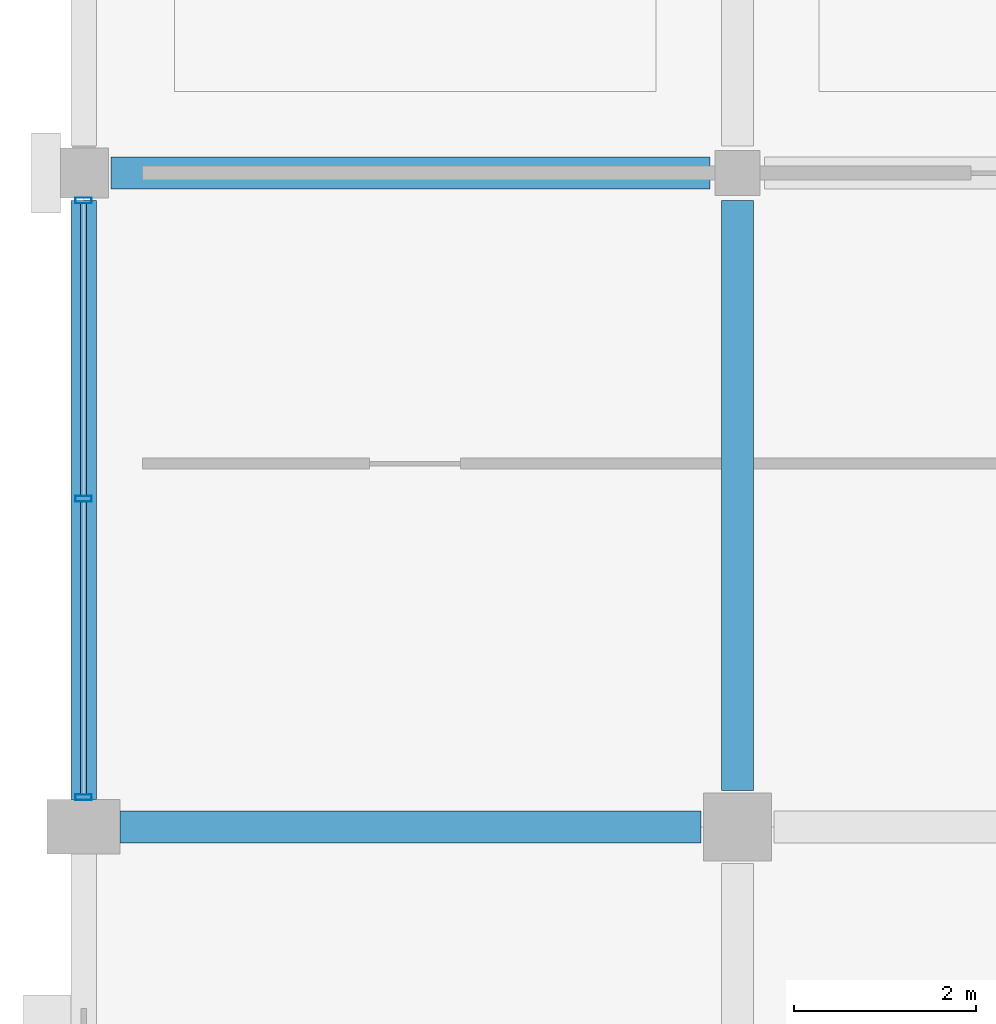
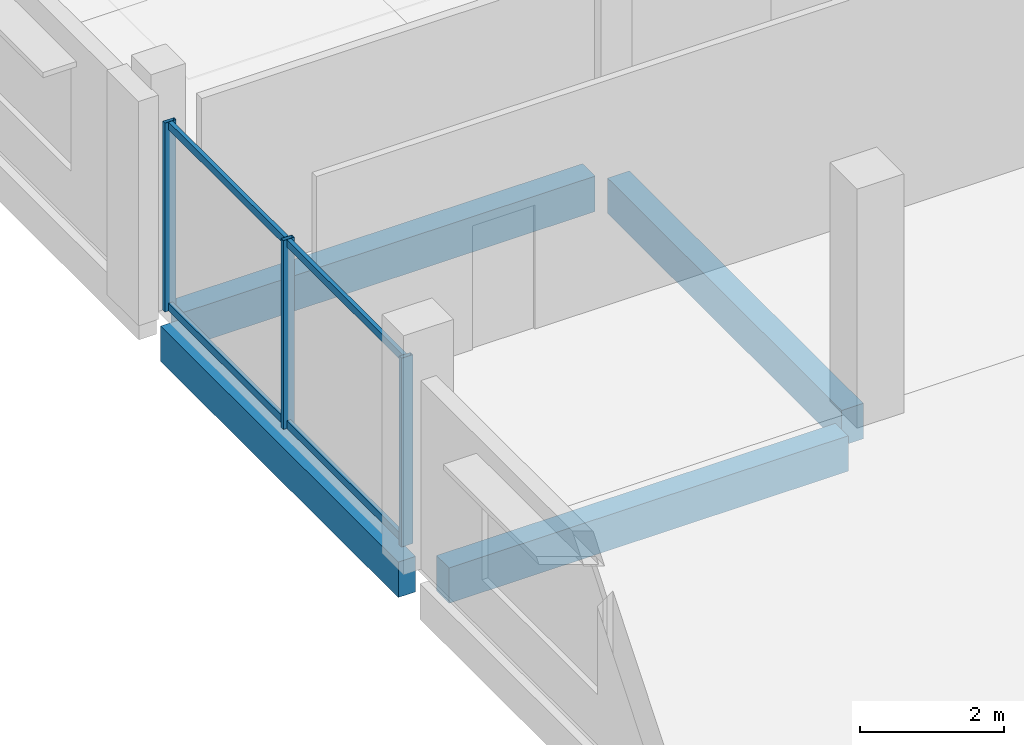
# One storey, part 17 of 91: 7 members, 4 beams, 1 element without a shape of its own.
"""IFC4 building model written with IfcOpenShell, lengths in metres."""

import ifcopenshell
import ifcopenshell.guid

model = None  # the IFC model being written
_history = None  # IfcOwnerHistory: only IFC2X3 demands one
_inside = {}  # id of a spatial element -> (the spatial element, [elements in it])
_under = {}  # id of a project, library or spatial element -> (it, [spatial elements below it])
_declared = {}  # id of a project -> (the project, [libraries it declares])
_typed = {}  # id of a type object -> (the type object, [elements of that type])
_made_of = {}  # id of a material, layer set ... -> (it, [elements and type objects made of it])


def new_model(schema):
    """Start an empty IFC model of exactly this schema.

    Asked for "IFC4X3", IfcOpenShell would pick the latest addendum, in which some entities
    have other attributes; the version numbers below select the first issue.
    IFC2X3 requires an IfcOwnerHistory on every rooted entity: one is made here for all.
    """
    global model, _history
    if schema == "IFC4X3":
        model = ifcopenshell.file(schema_version=(4, 3, 0, 0))
    else:
        model = ifcopenshell.file(schema=schema)
    _inside.clear()
    _under.clear()
    _declared.clear()
    _typed.clear()
    _made_of.clear()
    _history = None
    if model.schema == "IFC2X3":
        org = make("IfcOrganization", Name="unknown")
        user = make(
            "IfcPersonAndOrganization",
            ThePerson=make("IfcPerson", FamilyName="unknown"),
            TheOrganization=org,
        )
        app = make(
            "IfcApplication",
            ApplicationDeveloper=org,
            Version="unknown",
            ApplicationFullName="unknown",
            ApplicationIdentifier="unknown",
        )
        _history = make(
            "IfcOwnerHistory",
            OwningUser=user,
            OwningApplication=app,
            ChangeAction="ADDED",
            CreationDate=0,
        )
    return model


def make(cls, **values):
    """One entity of the class cls with the attributes given. An attribute that is None is left unset."""
    return model.create_entity(
        cls, **{name: value for name, value in values.items() if value is not None}
    )


def rooted(cls, **values):
    """An entity with a GlobalId (a new one), such as an element, a storey or a relation."""
    return make(cls, GlobalId=ifcopenshell.guid.new(), OwnerHistory=_history, **values)


def si_unit(unit_type, name, prefix=None):
    """IfcSIUnit, for example si_unit("LENGTHUNIT", "METRE", prefix="MILLI")."""
    return make("IfcSIUnit", UnitType=unit_type, Prefix=prefix, Name=name)


def assignment(units):
    """IfcUnitAssignment: the units of a project."""
    return None if units is None else make("IfcUnitAssignment", Units=units)


def point(xyz):
    """IfcCartesianPoint."""
    return None if xyz is None else make("IfcCartesianPoint", Coordinates=xyz)


def direction(xyz):
    """IfcDirection."""
    return None if xyz is None else make("IfcDirection", DirectionRatios=xyz)


def frame(location, z_axis=None, x_axis=None):
    """IfcAxis2Placement3D, a coordinate frame: its origin and axes. An axis left out is left unset."""
    return make(
        "IfcAxis2Placement3D",
        Location=point(location),
        Axis=direction(z_axis),
        RefDirection=direction(x_axis),
    )


def frame_2d(location, x_axis=None):
    """IfcAxis2Placement2D, a coordinate frame in the plane: its origin and x axis."""
    return make(
        "IfcAxis2Placement2D", Location=point(location), RefDirection=direction(x_axis)
    )


def origin():
    """The frame at (0, 0, 0) with its axes left unset."""
    return frame((0.0, 0.0, 0.0))


def origin_2d():
    """The frame at (0, 0) in the plane with its x axis left unset."""
    return frame_2d((0.0, 0.0))


def place(relative_to, where):
    """IfcLocalPlacement: puts the frame where relative to a parent placement (None: the world)."""
    return make(
        "IfcLocalPlacement", PlacementRelTo=relative_to, RelativePlacement=where
    )


def context(
    kind, dimensions, precision=None, world=None, true_north=None, identifier=None
):
    """IfcGeometricRepresentationContext, for example the 3D "Model" context."""
    return make(
        "IfcGeometricRepresentationContext",
        ContextIdentifier=identifier,
        ContextType=kind,
        CoordinateSpaceDimension=dimensions,
        Precision=precision,
        WorldCoordinateSystem=world,
        TrueNorth=true_north,
    )


def subcontext(parent, identifier, kind, view, scale=None):
    """IfcGeometricRepresentationSubContext, for example "Body" below "Model"."""
    return make(
        "IfcGeometricRepresentationSubContext",
        ContextIdentifier=identifier,
        ContextType=kind,
        ParentContext=parent,
        TargetScale=scale,
        TargetView=view,
    )


def project(units=None, contexts=None):
    """IfcProject with its units and contexts."""
    return rooted(
        "IfcProject",
        Name="project",
        RepresentationContexts=contexts,
        UnitsInContext=assignment(units),
    )


def spatial(cls, under=None, at=None, **own):
    """A site, building, storey or space (cls), placed at a placement, below another one or the project."""
    s = rooted(cls, ObjectPlacement=at, **own)
    if under is not None:
        _under.setdefault(under.id(), (under, []))[1].append(s)
    return s


def profile(cls, at=None, kind="AREA", **sizes):
    """A parametric profile (cls). Its sizes go by their IFC names, for example OverallWidth=200.0."""
    return make(cls, ProfileType=kind, Position=at, **sizes)


def rectangle(**sizes):
    """IfcRectangleProfileDef."""
    return profile("IfcRectangleProfileDef", **sizes)


def hollow_rectangle(**sizes):
    """IfcRectangleHollowProfileDef."""
    return profile("IfcRectangleHollowProfileDef", **sizes)


def extrude(swept, where, along, depth):
    """IfcExtrudedAreaSolid: the profile swept, set in the frame where, extruded along a direction by depth."""
    return make(
        "IfcExtrudedAreaSolid",
        SweptArea=swept,
        Position=where,
        ExtrudedDirection=direction(along),
        Depth=depth,
    )


def shape(context_of_items, identifier, shape_type, items):
    """IfcShapeRepresentation: the items that make up one representation, for example the "Body"."""
    return make(
        "IfcShapeRepresentation",
        ContextOfItems=context_of_items,
        RepresentationIdentifier=identifier,
        RepresentationType=shape_type,
        Items=items,
    )


def material(Name=None, Category=None):
    """IfcMaterial."""
    return make("IfcMaterial", Name=Name, Category=Category)


def layer(
    of_material, thickness, ventilated=None, Name=None, Category=None, Priority=None
):
    """IfcMaterialLayer: one layer of a wall or slab, of a material (None: an air gap)."""
    return make(
        "IfcMaterialLayer",
        Material=of_material,
        LayerThickness=thickness,
        IsVentilated=ventilated,
        Name=Name,
        Category=Category,
        Priority=Priority,
    )


def layer_set(layers, Name=None):
    """IfcMaterialLayerSet."""
    return make("IfcMaterialLayerSet", MaterialLayers=layers, LayerSetName=Name)


def material_profile(
    of_material, cross_section, Name=None, Category=None, Priority=None
):
    """IfcMaterialProfile: a cross section and its material."""
    return make(
        "IfcMaterialProfile",
        Name=Name,
        Material=of_material,
        Profile=cross_section,
        Priority=Priority,
        Category=Category,
    )


def profile_set(profiles, Name=None, composite=None):
    """IfcMaterialProfileSet."""
    return make(
        "IfcMaterialProfileSet",
        Name=Name,
        MaterialProfiles=profiles,
        CompositeProfile=composite,
    )


def made_of(thing, what):
    """Note that an element or type object is made of a material, layer set ...; save() writes the relation."""
    if what is not None:
        _made_of.setdefault(what.id(), (what, []))[1].append(thing)
    return thing


def type_object(cls, material=None, **own):
    """A type object (cls), such as IfcWallType, which elements share."""
    return made_of(rooted(cls, **own), material)


def element(
    cls,
    number,
    at=None,
    inside=None,
    cuts=None,
    type_object=None,
    material=None,
    context=None,
    identifier="Body",
    shape_type=None,
    held_by="IfcProductDefinitionShape",
    body=None,
    shapes=None,
    **own,
):
    """One element of the class cls, such as IfcWall. Its Tag is "e" and its number.

    at: its placement. inside: the storey or other place that contains it. cuts: it is an
    opening in that element (IfcRelVoidsElement). A single representation is given by context,
    identifier, shape_type and body (its items); several are given by shapes. held_by: the class
    of the entity that holds the representations. save() writes the other relations.
    """
    e = rooted(cls, Tag="e%d" % number, ObjectPlacement=at, **own)
    if body is not None:
        shapes = [shape(context, identifier, shape_type, body)]
    if shapes is not None:
        e.Representation = make(held_by, Representations=shapes)
    if inside is not None:
        _inside.setdefault(inside.id(), (inside, []))[1].append(e)
    if cuts is not None:
        rooted(
            "IfcRelVoidsElement", RelatingBuildingElement=cuts, RelatedOpeningElement=e
        )
    if type_object is not None:
        _typed.setdefault(type_object.id(), (type_object, []))[1].append(e)
    return made_of(e, material)


def aggregate(whole, parts):
    """IfcRelAggregates: a whole, such as a stair, and the parts it consists of."""
    return rooted("IfcRelAggregates", RelatingObject=whole, RelatedObjects=parts)


def save(model, path):
    """Write the relations noted so far, then the file.

    IfcRelAggregates (storeys below a building ...), IfcRelContainedInSpatialStructure (elements
    in a storey), IfcRelDefinesByType, IfcRelAssociatesMaterial and IfcRelDeclares: one each for
    every whole, place, type object, material and project.
    """
    for whole, parts in _under.values():
        aggregate(whole, parts)
    for where, things in _inside.values():
        rooted(
            "IfcRelContainedInSpatialStructure",
            RelatedElements=things,
            RelatingStructure=where,
        )
    for kind, things in _typed.values():
        rooted("IfcRelDefinesByType", RelatedObjects=things, RelatingType=kind)
    for what, things in _made_of.values():
        rooted("IfcRelAssociatesMaterial", RelatedObjects=things, RelatingMaterial=what)
    for by, libraries in _declared.values():
        rooted("IfcRelDeclares", RelatingContext=by, RelatedDefinitions=libraries)
    model.write(path)


model = new_model("IFC4")

# Units and contexts
model_context = context("Model", 3, precision=1e-05, world=origin(), true_north=direction((0.0, 1.0)))
body_context = subcontext(model_context, "Body", "Model", "MODEL_VIEW")
ifc_project = project(units=[si_unit("LENGTHUNIT", "METRE"), si_unit("AREAUNIT", "SQUARE_METRE"), si_unit("VOLUMEUNIT", "CUBIC_METRE"), si_unit("PLANEANGLEUNIT", "RADIAN"), si_unit("MASSUNIT", "GRAM", prefix="KILO")], contexts=[model_context])

# Site, building, storey
site_placement = place(None, origin())
site = spatial("IfcSite", under=ifc_project, at=site_placement, CompositionType="ELEMENT")
building_placement = place(site_placement, origin())
building = spatial("IfcBuilding", under=site, at=building_placement, Name="Kangsadwip Square Police Headquarters", CompositionType="ELEMENT")
storey_placement = place(building_placement, frame((0.0, 0.0, 13.5)))
storey = spatial("IfcBuildingStorey", under=building, at=storey_placement, Name="L03", CompositionType="ELEMENT", Elevation=13.5)

# Curtain wall, members
ifc_material_1 = material(Name="Thermally broken anodised aluminium AW-6063-T6", Category="aluminium")
ifc_layer = layer(ifc_material_1, 0.159912109375)
ifc_layer_set = layer_set([ifc_layer], Name="Thermally broken anodised aluminium AW-6063-T6")
curtain_wall_type = type_object("IfcCurtainWallType", Name="UnitisedCw6635x3200", PredefinedType="NOTDEFINED", material=ifc_layer_set)
curtain_wall_placement = place(storey_placement, origin())
curtain_wall = element("IfcCurtainWall", 1, at=curtain_wall_placement, inside=storey, type_object=curtain_wall_type, Name="Curtain Wall CW-L03-0000-0939", PredefinedType="NOTDEFINED")
ifc_material_2 = material(Name="Thermally broken anodised aluminium AW-6063-T6", Category="aluminium")
ifc_material_profile_1 = material_profile(ifc_material_2, hollow_rectangle(XDim=0.06494140625, YDim=0.179931640625, WallThickness=0.00390625, at=origin_2d()), Name="CWM 180X65X4")
ifc_profile_set_1 = profile_set([ifc_material_profile_1], Name="Thermally broken anodised aluminium AW-6063-T6")
member_type_1 = type_object("IfcMemberType", Name="CwMullion160x65", PredefinedType="MULLION", material=ifc_profile_set_1)
member_1_placement = place(storey_placement, frame((0.0, 93.927490234375, 0.0), z_axis=(0.0, 0.0, 1.0), x_axis=(0.0, 1.0, 0.0)))
member_1 = element("IfcMember", 2, at=member_1_placement, type_object=member_type_1, Name="CW-39 mullion 1", PredefinedType="MULLION", context=body_context, shape_type="SweptSolid", body=[
    extrude(hollow_rectangle(XDim=0.06494140625, YDim=0.179931640625, WallThickness=0.00390625, at=origin_2d()), origin(), (0.0, 0.0, 1.0), 3.199951171875),
])
member_2_placement = place(storey_placement, frame((0.0, 97.21240234375, 0.0), z_axis=(0.0, 0.0, 1.0), x_axis=(0.0, 1.0, 0.0)))
member_2 = element("IfcMember", 3, at=member_2_placement, type_object=member_type_1, Name="CW-39 mullion 2", PredefinedType="MULLION", context=body_context, shape_type="SweptSolid", body=[
    extrude(hollow_rectangle(XDim=0.06494140625, YDim=0.179931640625, WallThickness=0.00390625, at=origin_2d()), origin(), (0.0, 0.0, 1.0), 3.199951171875),
])
member_3_placement = place(storey_placement, frame((0.0, 100.49755859375, 0.0), z_axis=(0.0, 0.0, 1.0), x_axis=(0.0, 1.0, 0.0)))
member_3 = element("IfcMember", 4, at=member_3_placement, type_object=member_type_1, Name="CW-39 mullion 3", PredefinedType="MULLION", context=body_context, shape_type="SweptSolid", body=[
    extrude(hollow_rectangle(XDim=0.06494140625, YDim=0.179931640625, WallThickness=0.00390625, at=origin_2d()), origin(), (0.0, 0.0, 1.0), 3.199951171875),
])
ifc_material_3 = material(Name="Thermally broken anodised aluminium AW-6063-T6", Category="aluminium")
ifc_material_profile_2 = material_profile(ifc_material_3, hollow_rectangle(XDim=0.06494140625, YDim=0.1298828125, WallThickness=0.00390625, at=origin_2d()), Name="CWT 130X65X4")
ifc_profile_set_2 = profile_set([ifc_material_profile_2], Name="Thermally broken anodised aluminium AW-6063-T6")
member_type_2 = type_object("IfcMemberType", Name="CwTransom140x60", PredefinedType="USERDEFINED", material=ifc_profile_set_2)
member_4_placement = place(storey_placement, frame((0.0, 93.9599609375, 0.06494140625), z_axis=(0.0, 1.0, 0.0), x_axis=(-1.0, 0.0, 0.0)))
member_4 = element("IfcMember", 5, at=member_4_placement, type_object=member_type_2, Name="CW-39 transom 1.1", ObjectType="TRANSOM", PredefinedType="USERDEFINED", context=body_context, shape_type="SweptSolid", body=[
    extrude(hollow_rectangle(XDim=0.06494140625, YDim=0.1298828125, WallThickness=0.00390625, at=origin_2d()), origin(), (0.0, 0.0, 1.0), 3.219970703125),
])
member_5_placement = place(storey_placement, frame((0.0, 93.9599609375, 3.135009765625), z_axis=(0.0, 1.0, 0.0), x_axis=(-1.0, 0.0, 0.0)))
member_5 = element("IfcMember", 6, at=member_5_placement, type_object=member_type_2, Name="CW-39 transom 1.2", ObjectType="TRANSOM", PredefinedType="USERDEFINED", context=body_context, shape_type="SweptSolid", body=[
    extrude(hollow_rectangle(XDim=0.06494140625, YDim=0.1298828125, WallThickness=0.00390625, at=origin_2d()), origin(), (0.0, 0.0, 1.0), 3.219970703125),
])
member_6_placement = place(storey_placement, frame((0.0, 97.2451171875, 0.06494140625), z_axis=(0.0, 1.0, 0.0), x_axis=(-1.0, 0.0, 0.0)))
member_6 = element("IfcMember", 7, at=member_6_placement, type_object=member_type_2, Name="CW-39 transom 2.1", ObjectType="TRANSOM", PredefinedType="USERDEFINED", context=body_context, shape_type="SweptSolid", body=[
    extrude(hollow_rectangle(XDim=0.06494140625, YDim=0.1298828125, WallThickness=0.00390625, at=origin_2d()), origin(), (0.0, 0.0, 1.0), 3.219970703125),
])
member_7_placement = place(storey_placement, frame((0.0, 97.2451171875, 3.135009765625), z_axis=(0.0, 1.0, 0.0), x_axis=(-1.0, 0.0, 0.0)))
member_7 = element("IfcMember", 8, at=member_7_placement, type_object=member_type_2, Name="CW-39 transom 2.2", ObjectType="TRANSOM", PredefinedType="USERDEFINED", context=body_context, shape_type="SweptSolid", body=[
    extrude(hollow_rectangle(XDim=0.06494140625, YDim=0.1298828125, WallThickness=0.00390625, at=origin_2d()), origin(), (0.0, 0.0, 1.0), 3.219970703125),
])
aggregate(curtain_wall, [member_1, member_2, member_3, member_4, member_5, member_6, member_7])

# Beams
ifc_material_4 = material(Name="Concrete M35 (35 MPa)", Category="concrete")
ifc_material_profile_3 = material_profile(ifc_material_4, rectangle(XDim=0.35009765625, YDim=0.60009765625, at=origin_2d()), Name="RC BM 600X350")
ifc_profile_set_3 = profile_set([ifc_material_profile_3], Name="Concrete M35 (35 MPa)")
beam_type_1 = type_object("IfcBeamType", Name="RcBeam600x350", PredefinedType="BEAM", material=ifc_profile_set_3)
beam_1_placement = place(storey_placement, frame((0.39990234375, 93.60009765625, -0.5400390625), z_axis=(1.0, 0.0, 0.0), x_axis=(0.0, 1.0, 0.0)))
element("IfcBeam", 9, at=beam_1_placement, inside=storey, type_object=beam_type_1, Name="Beam BM-L03-X-00-13", PredefinedType="BEAM", context=body_context, shape_type="SweptSolid", body=[
    extrude(rectangle(XDim=0.35009765625, YDim=0.60009765625, at=origin_2d()), origin(), (0.0, 0.0, 1.0), 6.400146484375),
])
beam_2_placement = place(storey_placement, frame((0.300048828125, 100.800048828125, -0.5400390625), z_axis=(1.0, 0.0, 0.0), x_axis=(0.0, 1.0, 0.0)))
element("IfcBeam", 10, at=beam_2_placement, inside=storey, type_object=beam_type_1, Name="Beam BM-L03-X-00-14", PredefinedType="BEAM", context=body_context, shape_type="SweptSolid", body=[
    extrude(rectangle(XDim=0.35009765625, YDim=0.60009765625, at=origin_2d()), origin(), (0.0, 0.0, 1.0), 6.599853515625),
])
beam_3_placement = place(storey_placement, frame((7.199951171875, 94.0, -0.5400390625), z_axis=(0.0, 1.0, 0.0), x_axis=(-1.0, 0.0, 0.0)))
element("IfcBeam", 11, at=beam_3_placement, inside=storey, type_object=beam_type_1, Name="Beam BM-L03-Y-01-13", PredefinedType="BEAM", context=body_context, shape_type="SweptSolid", body=[
    extrude(rectangle(XDim=0.35009765625, YDim=0.60009765625, at=origin_2d()), origin(), (0.0, 0.0, 1.0), 6.5),
])
ifc_material_5 = material(Name="Concrete M40 (40 MPa)", Category="concrete")
ifc_material_profile_4 = material_profile(ifc_material_5, rectangle(XDim=0.280029296875, YDim=0.60009765625, at=origin_2d()), Name="RC SPN 600X280")
ifc_profile_set_4 = profile_set([ifc_material_profile_4], Name="Concrete M40 (40 MPa)")
beam_type_2 = type_object("IfcBeamType", Name="RcSpandrel600x280", PredefinedType="SPANDREL", material=ifc_profile_set_4)
beam_4_placement = place(storey_placement, frame((0.0, 93.89990234375, -0.5400390625), z_axis=(0.0, 1.0, 0.0), x_axis=(-1.0, 0.0, 0.0)))
element("IfcBeam", 12, at=beam_4_placement, inside=storey, type_object=beam_type_2, Name="Beam BM-L03-Y-00-13", PredefinedType="SPANDREL", context=body_context, shape_type="SweptSolid", body=[
    extrude(rectangle(XDim=0.280029296875, YDim=0.60009765625, at=origin_2d()), origin(), (0.0, 0.0, 1.0), 6.60009765625),
])

save(model, "model.ifc")
